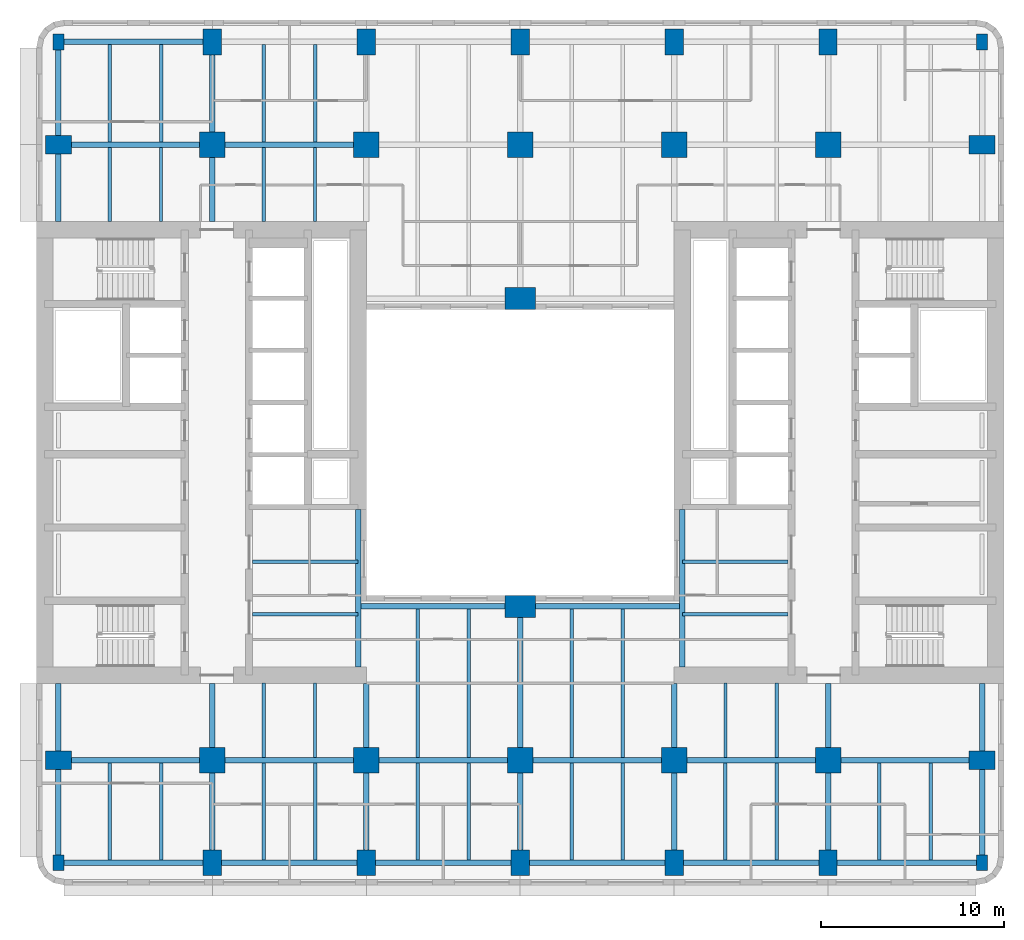
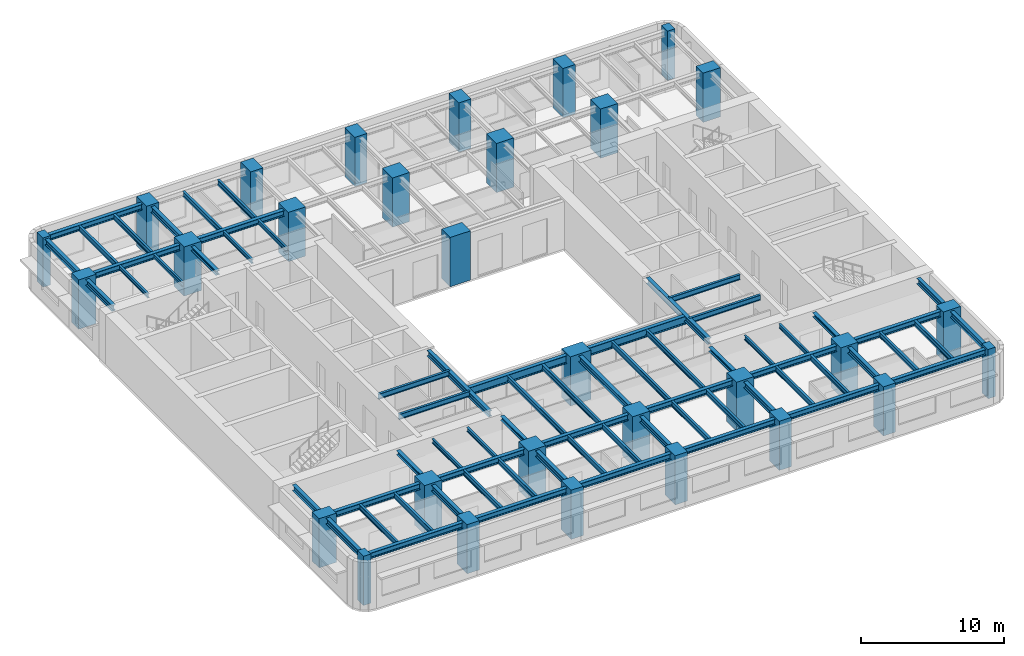
# One storey, part 1 of 11: 69 beams, 30 columns.
"""IFC4 building model written with IfcOpenShell, lengths in metres."""

from ifc_helpers import new_model, si_unit, direction, frame, origin, origin_2d, place, context, subcontext, project, spatial, rectangle, i_section, extrude, material, material_profile, profile_set, type_object, element, save


model = new_model("IFC4")

# Units and contexts
model_context = context("Model", 3, precision=1e-05, world=origin(), true_north=direction((0.0, 1.0)))
body_context = subcontext(model_context, "Body", "Model", "MODEL_VIEW")
ifc_project = project(units=[si_unit("LENGTHUNIT", "METRE"), si_unit("AREAUNIT", "SQUARE_METRE"), si_unit("VOLUMEUNIT", "CUBIC_METRE"), si_unit("PLANEANGLEUNIT", "RADIAN"), si_unit("MASSUNIT", "GRAM", prefix="KILO")], contexts=[model_context])

# Site, building, storey
site_placement = place(None, origin())
site = spatial("IfcSite", under=ifc_project, at=site_placement, CompositionType="ELEMENT")
building_placement = place(site_placement, origin())
building = spatial("IfcBuilding", under=site, at=building_placement, Name="Claustro Exchange Tower", CompositionType="ELEMENT")
storey_placement = place(building_placement, frame((0.0, 0.0, 117.60009765625)))
storey = spatial("IfcBuildingStorey", under=building, at=storey_placement, Name="L26", CompositionType="ELEMENT", Elevation=117.60009765625)

# Columns
ifc_material_1 = material(Name="Concrete HA-70 (C70/85)", Category="concrete")
ifc_material_profile_1 = material_profile(ifc_material_1, rectangle(XDim=1.39990234375, YDim=1.39990234375, at=origin_2d()), Name="RC 1400x1400")
ifc_profile_set_1 = profile_set([ifc_material_profile_1], Name="Concrete HA-70 (C70/85)")
column_type_1 = type_object("IfcColumnType", Name="C0 RC 1400x1400 HA-70 column", PredefinedType="COLUMN", material=ifc_profile_set_1)
for number, where, z_axis, x_axis, name in (
    (1, (8.39990234375, 8.39990234375, 0.0), (0.0, 0.0, 1.0), (1.0, 0.0, 0.0), "Column C0 2/B L26"),
    (2, (8.39990234375, 42.0, 0.0), (0.0, 0.0, 1.0), (1.0, 0.0, 0.0), "Column C0 2/F L26"),
    (3, (16.800048828125, 8.39990234375, 0.0), (0.0, 0.0, 1.0), (1.0, 0.0, 0.0), "Column C0 3/B L26"),
    (4, (16.800048828125, 42.0, 0.0), (0.0, 0.0, 1.0), (1.0, 0.0, 0.0), "Column C0 3/F L26"),
    (5, (25.199951171875, 8.39990234375, 0.0), (0.0, 0.0, 1.0), (1.0, 0.0, 0.0), "Column C0 4/B L26"),
    (6, (25.199951171875, 42.0, 0.0), (0.0, 0.0, 1.0), (1.0, 0.0, 0.0), "Column C0 4/F L26"),
    (7, (33.60009765625, 8.39990234375, 0.0), (0.0, 0.0, 1.0), (1.0, 0.0, 0.0), "Column C0 5/B L26"),
    (8, (33.60009765625, 42.0, 0.0), (0.0, 0.0, 1.0), (1.0, 0.0, 0.0), "Column C0 5/F L26"),
    (9, (42.0, 8.39990234375, 0.0), (0.0, 0.0, 1.0), (1.0, 0.0, 0.0), "Column C0 6/B L26"),
    (10, (42.0, 42.0, 0.0), (0.0, 0.0, 1.0), (1.0, 0.0, 0.0), "Column C0 6/F L26"),
):
    element("IfcColumn", number, at=place(storey_placement, frame(where, z_axis=z_axis, x_axis=x_axis)), inside=storey, type_object=column_type_1, Name=name, PredefinedType="COLUMN", context=body_context, shape_type="SweptSolid", body=[
        extrude(rectangle(XDim=1.39990234375, YDim=1.39990234375, at=origin_2d()), origin(), (0.0, 0.0, 1.0), 4.199951171875),
    ])
ifc_material_2 = material(Name="Concrete HA-70 (C70/85)", Category="concrete")
ifc_material_profile_2 = material_profile(ifc_material_2, rectangle(XDim=1.0, YDim=1.39990234375, at=origin_2d()), Name="RC 1000x1400")
ifc_profile_set_2 = profile_set([ifc_material_profile_2], Name="Concrete HA-70 (C70/85)")
column_type_2 = type_object("IfcColumnType", Name="C22 RC 1000x1400 HA-70 perimeter column", PredefinedType="COLUMN", material=ifc_profile_set_2)
for number, where, z_axis, x_axis, name in (
    (11, (0.0, 8.39990234375, 0.0), (0.0, 0.0, 1.0), (0.0, 1.0, 0.0), "Column C22 1/B L26"),
    (12, (0.0, 42.0, 0.0), (0.0, 0.0, 1.0), (0.0, 1.0, 0.0), "Column C22 1/F L26"),
    (13, (8.39990234375, 2.800048828125, 0.0), (0.0, 0.0, 1.0), (1.0, 0.0, 0.0), "Column C22 2/A+2800 L26"),
    (14, (8.39990234375, 47.60009765625, 0.0), (0.0, 0.0, 1.0), (1.0, 0.0, 0.0), "Column C22 2/F+5600 L26"),
    (15, (16.800048828125, 2.800048828125, 0.0), (0.0, 0.0, 1.0), (1.0, 0.0, 0.0), "Column C22 3/A+2800 L26"),
    (16, (16.800048828125, 47.60009765625, 0.0), (0.0, 0.0, 1.0), (1.0, 0.0, 0.0), "Column C22 3/F+5600 L26"),
    (17, (25.199951171875, 2.800048828125, 0.0), (0.0, 0.0, 1.0), (1.0, 0.0, 0.0), "Column C22 4/A+2800 L26"),
    (18, (25.199951171875, 47.60009765625, 0.0), (0.0, 0.0, 1.0), (1.0, 0.0, 0.0), "Column C22 4/F+5600 L26"),
    (19, (33.60009765625, 2.800048828125, 0.0), (0.0, 0.0, 1.0), (1.0, 0.0, 0.0), "Column C22 5/A+2800 L26"),
    (20, (33.60009765625, 47.60009765625, 0.0), (0.0, 0.0, 1.0), (1.0, 0.0, 0.0), "Column C22 5/F+5600 L26"),
    (21, (42.0, 2.800048828125, 0.0), (0.0, 0.0, 1.0), (1.0, 0.0, 0.0), "Column C22 6/A+2800 L26"),
    (22, (42.0, 47.60009765625, 0.0), (0.0, 0.0, 1.0), (1.0, 0.0, 0.0), "Column C22 6/F+5600 L26"),
    (23, (50.39990234375, 8.39990234375, 0.0), (0.0, 0.0, 1.0), (0.0, 1.0, 0.0), "Column C22 7/B L26"),
    (24, (50.39990234375, 42.0, 0.0), (0.0, 0.0, 1.0), (0.0, 1.0, 0.0), "Column C22 7/F L26"),
):
    element("IfcColumn", number, at=place(storey_placement, frame(where, z_axis=z_axis, x_axis=x_axis)), inside=storey, type_object=column_type_2, Name=name, PredefinedType="COLUMN", context=body_context, shape_type="SweptSolid", body=[
        extrude(rectangle(XDim=1.0, YDim=1.39990234375, at=origin_2d()), origin(), (0.0, 0.0, 1.0), 4.199951171875),
    ])
ifc_material_3 = material(Name="Concrete HA-50 (C50/60)", Category="concrete")
ifc_material_profile_3 = material_profile(ifc_material_3, rectangle(XDim=0.60009765625, YDim=0.85009765625, at=origin_2d()), Name="RC 600x850")
ifc_profile_set_3 = profile_set([ifc_material_profile_3], Name="Concrete HA-50 (C50/60)")
column_type_3 = type_object("IfcColumnType", Name="C25 RC 600x850 HA-50 corner column", PredefinedType="COLUMN", material=ifc_profile_set_3)
for number, where, z_axis, x_axis, name in (
    (25, (0.0, 2.800048828125, 0.0), (0.0, 0.0, 1.0), (1.0, 0.0, 0.0), "Column C25 1/A+2800 L26"),
    (26, (0.0, 47.60009765625, 0.0), (0.0, 0.0, 1.0), (1.0, 0.0, 0.0), "Column C25 1/F+5600 L26"),
    (27, (50.39990234375, 2.800048828125, 0.0), (0.0, 0.0, 1.0), (1.0, 0.0, 0.0), "Column C25 7/A+2800 L26"),
    (28, (50.39990234375, 47.60009765625, 0.0), (0.0, 0.0, 1.0), (1.0, 0.0, 0.0), "Column C25 7/F+5600 L26"),
):
    element("IfcColumn", number, at=place(storey_placement, frame(where, z_axis=z_axis, x_axis=x_axis)), inside=storey, type_object=column_type_3, Name=name, PredefinedType="COLUMN", context=body_context, shape_type="SweptSolid", body=[
        extrude(rectangle(XDim=0.60009765625, YDim=0.85009765625, at=origin_2d()), origin(), (0.0, 0.0, 1.0), 4.199951171875),
    ])
ifc_material_4 = material(Name="Concrete HA-70 (C70/85)", Category="concrete")
ifc_material_profile_4 = material_profile(ifc_material_4, rectangle(XDim=1.64990234375, YDim=1.199951171875, at=origin_2d()), Name="RC 1650x1200")
ifc_profile_set_4 = profile_set([ifc_material_profile_4], Name="Concrete HA-70 (C70/85)")
column_type_4 = type_object("IfcColumnType", Name="C32 RC 1650x1200 HA-70 light well column", PredefinedType="COLUMN", material=ifc_profile_set_4)
for number, where, z_axis, x_axis, name in (
    (29, (25.199951171875, 16.800048828125, 0.0), (0.0, 0.0, 1.0), (1.0, 0.0, 0.0), "Column C32 4/C L26"),
    (30, (25.199951171875, 33.60009765625, 0.0), (0.0, 0.0, 1.0), (1.0, 0.0, 0.0), "Column C32 4/E L26"),
):
    element("IfcColumn", number, at=place(storey_placement, frame(where, z_axis=z_axis, x_axis=x_axis)), inside=storey, type_object=column_type_4, Name=name, PredefinedType="COLUMN", context=body_context, shape_type="SweptSolid", body=[
        extrude(rectangle(XDim=1.64990234375, YDim=1.199951171875, at=origin_2d()), origin(), (0.0, 0.0, 1.0), 4.199951171875),
    ])

# Beams
ifc_material_5 = material(Name="Steel S355", Category="steel")
ifc_material_profile_5 = material_profile(ifc_material_5, i_section(OverallWidth=0.300048828125, OverallDepth=0.68994140625, WebThickness=0.014404296875, FlangeThickness=0.027099609375, FilletRadius=0.027099609375, at=origin_2d()), Name="HE 700 A")
ifc_profile_set_5 = profile_set([ifc_material_profile_5], Name="Steel S355")
beam_type_1 = type_object("IfcBeamType", Name="B13 HE 700 A light well edge girder", PredefinedType="BEAM", material=ifc_profile_set_5)
beam_1_placement = place(storey_placement, frame((16.35009765625, 16.800048828125, 3.704833984375), z_axis=(1.0, 0.0, 0.0), x_axis=(0.0, 1.0, 0.0)))
element("IfcBeam", 31, at=beam_1_placement, inside=storey, type_object=beam_type_1, Name="Beam B13 L27", PredefinedType="BEAM", context=body_context, shape_type="SweptSolid", body=[
    extrude(i_section(OverallWidth=0.300048828125, OverallDepth=0.68994140625, WebThickness=0.014404296875, FlangeThickness=0.027099609375, FilletRadius=0.027099609375, at=origin_2d()), origin(), (0.0, 0.0, 1.0), 8.849853515625),
])
beam_2_placement = place(storey_placement, frame((25.199951171875, 16.800048828125, 3.704833984375), z_axis=(1.0, 0.0, 0.0), x_axis=(0.0, 1.0, 0.0)))
element("IfcBeam", 32, at=beam_2_placement, inside=storey, type_object=beam_type_1, Name="Beam B13 L27", PredefinedType="BEAM", context=body_context, shape_type="SweptSolid", body=[
    extrude(i_section(OverallWidth=0.300048828125, OverallDepth=0.68994140625, WebThickness=0.014404296875, FlangeThickness=0.027099609375, FilletRadius=0.027099609375, at=origin_2d()), origin(), (0.0, 0.0, 1.0), 8.85009765625),
])
ifc_material_6 = material(Name="Steel S355", Category="steel")
ifc_material_profile_6 = material_profile(ifc_material_6, i_section(OverallWidth=0.169921875, OverallDepth=0.360107421875, WebThickness=0.008056640625, FlangeThickness=0.0126953125, FilletRadius=0.01806640625, at=origin_2d()), Name="IPE 360")
ifc_profile_set_6 = profile_set([ifc_material_profile_6], Name="Steel S355")
beam_type_2 = type_object("IfcBeamType", Name="B16 IPE 360 short-span beam", PredefinedType="BEAM", material=ifc_profile_set_6)
for number, where, z_axis, x_axis, name in (
    (33, (2.800048828125, 37.7900390625, 3.869873046875), (0.0, 1.0, 0.0), (-1.0, 0.0, 0.0), "Beam B16 L27"),
    (34, (5.60009765625, 37.7900390625, 3.869873046875), (0.0, 1.0, 0.0), (-1.0, 0.0, 0.0), "Beam B16 L27"),
    (35, (11.199951171875, 8.550048828125, 3.869873046875), (0.0, 1.0, 0.0), (-1.0, 0.0, 0.0), "Beam B16 L27"),
    (36, (14.0, 8.550048828125, 3.869873046875), (0.0, 1.0, 0.0), (-1.0, 0.0, 0.0), "Beam B16 L27"),
    (37, (11.199951171875, 37.7900390625, 3.869873046875), (0.0, 1.0, 0.0), (-1.0, 0.0, 0.0), "Beam B16 L27"),
    (38, (14.0, 37.7900390625, 3.869873046875), (0.0, 1.0, 0.0), (-1.0, 0.0, 0.0), "Beam B16 L27"),
    (39, (36.39990234375, 8.550048828125, 3.869873046875), (0.0, 1.0, 0.0), (-1.0, 0.0, 0.0), "Beam B16 L27"),
    (40, (39.199951171875, 8.550048828125, 3.869873046875), (0.0, 1.0, 0.0), (-1.0, 0.0, 0.0), "Beam B16 L27"),
):
    element("IfcBeam", number, at=place(storey_placement, frame(where, z_axis=z_axis, x_axis=x_axis)), inside=storey, type_object=beam_type_2, Name=name, PredefinedType="BEAM", context=body_context, shape_type="SweptSolid", body=[
        extrude(i_section(OverallWidth=0.169921875, OverallDepth=0.360107421875, WebThickness=0.008056640625, FlangeThickness=0.0126953125, FilletRadius=0.01806640625, at=origin_2d()), origin(), (0.0, 0.0, 1.0), 4.06005859375),
    ])
ifc_material_7 = material(Name="Steel S355", Category="steel")
ifc_material_profile_7 = material_profile(ifc_material_7, i_section(OverallWidth=0.300048828125, OverallDepth=0.360107421875, WebThickness=0.012451171875, FlangeThickness=0.0224609375, FilletRadius=0.027099609375, at=origin_2d()), Name="HE 360 B")
ifc_profile_set_7 = profile_set([ifc_material_profile_7], Name="Steel S355")
beam_type_3 = type_object("IfcBeamType", Name="B29 HE 360 B column to core link beam", PredefinedType="BEAM", material=ifc_profile_set_7)
beam_3_placement = place(storey_placement, frame((8.39990234375, 8.39990234375, 3.869873046875), z_axis=(0.0, 1.0, 0.0), x_axis=(-1.0, 0.0, 0.0)))
element("IfcBeam", 41, at=beam_3_placement, inside=storey, type_object=beam_type_3, Name="Beam B29 L27", PredefinedType="BEAM", context=body_context, shape_type="SweptSolid", body=[
    extrude(i_section(OverallWidth=0.300048828125, OverallDepth=0.360107421875, WebThickness=0.012451171875, FlangeThickness=0.0224609375, FilletRadius=0.027099609375, at=origin_2d()), origin(), (0.0, 0.0, 1.0), 4.2001953125),
])
beam_4_placement = place(storey_placement, frame((8.39990234375, 37.800048828125, 3.869873046875), z_axis=(0.0, 1.0, 0.0), x_axis=(-1.0, 0.0, 0.0)))
element("IfcBeam", 42, at=beam_4_placement, inside=storey, type_object=beam_type_3, Name="Beam B29 L27", PredefinedType="BEAM", context=body_context, shape_type="SweptSolid", body=[
    extrude(i_section(OverallWidth=0.300048828125, OverallDepth=0.360107421875, WebThickness=0.012451171875, FlangeThickness=0.0224609375, FilletRadius=0.027099609375, at=origin_2d()), origin(), (0.0, 0.0, 1.0), 4.199951171875),
])
for number, where, z_axis, x_axis, name in (
    (43, (16.800048828125, 8.39990234375, 3.869873046875), (0.0, 1.0, 0.0), (-1.0, 0.0, 0.0), "Beam B29 L27"),
    (44, (33.60009765625, 8.39990234375, 3.869873046875), (0.0, 1.0, 0.0), (-1.0, 0.0, 0.0), "Beam B29 L27"),
    (45, (42.0, 8.39990234375, 3.869873046875), (0.0, 1.0, 0.0), (-1.0, 0.0, 0.0), "Beam B29 L27"),
):
    element("IfcBeam", number, at=place(storey_placement, frame(where, z_axis=z_axis, x_axis=x_axis)), inside=storey, type_object=beam_type_3, Name=name, PredefinedType="BEAM", context=body_context, shape_type="SweptSolid", body=[
        extrude(i_section(OverallWidth=0.300048828125, OverallDepth=0.360107421875, WebThickness=0.012451171875, FlangeThickness=0.0224609375, FilletRadius=0.027099609375, at=origin_2d()), origin(), (0.0, 0.0, 1.0), 4.2001953125),
    ])
ifc_material_8 = material(Name="Steel S355", Category="steel")
ifc_material_profile_8 = material_profile(ifc_material_8, i_section(OverallWidth=0.300048828125, OverallDepth=0.5, WebThickness=0.014404296875, FlangeThickness=0.028076171875, FilletRadius=0.027099609375, at=origin_2d()), Name="HE 500 B")
ifc_profile_set_8 = profile_set([ifc_material_profile_8], Name="Steel S355")
beam_type_4 = type_object("IfcBeamType", Name="B7 HE 500 B floor girder", PredefinedType="BEAM", material=ifc_profile_set_8)
beam_5_placement = place(storey_placement, frame((8.39990234375, 2.800048828125, 3.7998046875), z_axis=(0.0, 1.0, 0.0), x_axis=(-1.0, 0.0, 0.0)))
element("IfcBeam", 46, at=beam_5_placement, inside=storey, type_object=beam_type_4, Name="Beam B7 L27", PredefinedType="BEAM", context=body_context, shape_type="SweptSolid", body=[
    extrude(i_section(OverallWidth=0.300048828125, OverallDepth=0.5, WebThickness=0.014404296875, FlangeThickness=0.028076171875, FilletRadius=0.027099609375, at=origin_2d()), origin(), (0.0, 0.0, 1.0), 5.599853515625),
])
beam_6_placement = place(storey_placement, frame((8.39990234375, 42.0, 3.7998046875), z_axis=(0.0, 1.0, 0.0), x_axis=(-1.0, 0.0, 0.0)))
element("IfcBeam", 47, at=beam_6_placement, inside=storey, type_object=beam_type_4, Name="Beam B7 L27", PredefinedType="BEAM", context=body_context, shape_type="SweptSolid", body=[
    extrude(i_section(OverallWidth=0.300048828125, OverallDepth=0.5, WebThickness=0.014404296875, FlangeThickness=0.028076171875, FilletRadius=0.027099609375, at=origin_2d()), origin(), (0.0, 0.0, 1.0), 5.60009765625),
])
for number, where, z_axis, x_axis, name in (
    (48, (16.800048828125, 2.800048828125, 3.7998046875), (0.0, 1.0, 0.0), (-1.0, 0.0, 0.0), "Beam B7 L27"),
    (49, (25.199951171875, 2.800048828125, 3.7998046875), (0.0, 1.0, 0.0), (-1.0, 0.0, 0.0), "Beam B7 L27"),
):
    element("IfcBeam", number, at=place(storey_placement, frame(where, z_axis=z_axis, x_axis=x_axis)), inside=storey, type_object=beam_type_4, Name=name, PredefinedType="BEAM", context=body_context, shape_type="SweptSolid", body=[
        extrude(i_section(OverallWidth=0.300048828125, OverallDepth=0.5, WebThickness=0.014404296875, FlangeThickness=0.028076171875, FilletRadius=0.027099609375, at=origin_2d()), origin(), (0.0, 0.0, 1.0), 5.599853515625),
    ])
beam_7_placement = place(storey_placement, frame((25.199951171875, 8.39990234375, 3.7998046875), z_axis=(0.0, 1.0, 0.0), x_axis=(-1.0, 0.0, 0.0)))
element("IfcBeam", 50, at=beam_7_placement, inside=storey, type_object=beam_type_4, Name="Beam B7 L27", PredefinedType="BEAM", context=body_context, shape_type="SweptSolid", body=[
    extrude(i_section(OverallWidth=0.300048828125, OverallDepth=0.5, WebThickness=0.014404296875, FlangeThickness=0.028076171875, FilletRadius=0.027099609375, at=origin_2d()), origin(), (0.0, 0.0, 1.0), 8.400146484375),
])
for number, where, z_axis, x_axis, name in (
    (51, (33.60009765625, 2.800048828125, 3.7998046875), (0.0, 1.0, 0.0), (-1.0, 0.0, 0.0), "Beam B7 L27"),
    (52, (42.0, 2.800048828125, 3.7998046875), (0.0, 1.0, 0.0), (-1.0, 0.0, 0.0), "Beam B7 L27"),
):
    element("IfcBeam", number, at=place(storey_placement, frame(where, z_axis=z_axis, x_axis=x_axis)), inside=storey, type_object=beam_type_4, Name=name, PredefinedType="BEAM", context=body_context, shape_type="SweptSolid", body=[
        extrude(i_section(OverallWidth=0.300048828125, OverallDepth=0.5, WebThickness=0.014404296875, FlangeThickness=0.028076171875, FilletRadius=0.027099609375, at=origin_2d()), origin(), (0.0, 0.0, 1.0), 5.599853515625),
    ])
beam_8_placement = place(storey_placement, frame((0.0, 8.39990234375, 3.7998046875), z_axis=(1.0, 0.0, 0.0), x_axis=(0.0, 1.0, 0.0)))
element("IfcBeam", 53, at=beam_8_placement, inside=storey, type_object=beam_type_4, Name="Beam B7 L27", PredefinedType="BEAM", context=body_context, shape_type="SweptSolid", body=[
    extrude(i_section(OverallWidth=0.300048828125, OverallDepth=0.5, WebThickness=0.014404296875, FlangeThickness=0.028076171875, FilletRadius=0.027099609375, at=origin_2d()), origin(), (0.0, 0.0, 1.0), 8.39990234375),
])
beam_9_placement = place(storey_placement, frame((8.39990234375, 8.39990234375, 3.7998046875), z_axis=(1.0, 0.0, 0.0), x_axis=(0.0, 1.0, 0.0)))
element("IfcBeam", 54, at=beam_9_placement, inside=storey, type_object=beam_type_4, Name="Beam B7 L27", PredefinedType="BEAM", context=body_context, shape_type="SweptSolid", body=[
    extrude(i_section(OverallWidth=0.300048828125, OverallDepth=0.5, WebThickness=0.014404296875, FlangeThickness=0.028076171875, FilletRadius=0.027099609375, at=origin_2d()), origin(), (0.0, 0.0, 1.0), 8.400146484375),
])
beam_10_placement = place(storey_placement, frame((16.800048828125, 8.39990234375, 3.7998046875), z_axis=(1.0, 0.0, 0.0), x_axis=(0.0, 1.0, 0.0)))
element("IfcBeam", 55, at=beam_10_placement, inside=storey, type_object=beam_type_4, Name="Beam B7 L27", PredefinedType="BEAM", context=body_context, shape_type="SweptSolid", body=[
    extrude(i_section(OverallWidth=0.300048828125, OverallDepth=0.5, WebThickness=0.014404296875, FlangeThickness=0.028076171875, FilletRadius=0.027099609375, at=origin_2d()), origin(), (0.0, 0.0, 1.0), 8.39990234375),
])
beam_11_placement = place(storey_placement, frame((25.199951171875, 8.39990234375, 3.7998046875), z_axis=(1.0, 0.0, 0.0), x_axis=(0.0, 1.0, 0.0)))
element("IfcBeam", 56, at=beam_11_placement, inside=storey, type_object=beam_type_4, Name="Beam B7 L27", PredefinedType="BEAM", context=body_context, shape_type="SweptSolid", body=[
    extrude(i_section(OverallWidth=0.300048828125, OverallDepth=0.5, WebThickness=0.014404296875, FlangeThickness=0.028076171875, FilletRadius=0.027099609375, at=origin_2d()), origin(), (0.0, 0.0, 1.0), 8.400146484375),
])
for number, where, z_axis, x_axis, name in (
    (57, (33.60009765625, 8.39990234375, 3.7998046875), (1.0, 0.0, 0.0), (0.0, 1.0, 0.0), "Beam B7 L27"),
    (58, (42.0, 8.39990234375, 3.7998046875), (1.0, 0.0, 0.0), (0.0, 1.0, 0.0), "Beam B7 L27"),
    (59, (0.0, 42.0, 3.7998046875), (1.0, 0.0, 0.0), (0.0, 1.0, 0.0), "Beam B7 L27"),
):
    element("IfcBeam", number, at=place(storey_placement, frame(where, z_axis=z_axis, x_axis=x_axis)), inside=storey, type_object=beam_type_4, Name=name, PredefinedType="BEAM", context=body_context, shape_type="SweptSolid", body=[
        extrude(i_section(OverallWidth=0.300048828125, OverallDepth=0.5, WebThickness=0.014404296875, FlangeThickness=0.028076171875, FilletRadius=0.027099609375, at=origin_2d()), origin(), (0.0, 0.0, 1.0), 8.39990234375),
    ])
beam_12_placement = place(storey_placement, frame((8.39990234375, 42.0, 3.7998046875), z_axis=(1.0, 0.0, 0.0), x_axis=(0.0, 1.0, 0.0)))
element("IfcBeam", 60, at=beam_12_placement, inside=storey, type_object=beam_type_4, Name="Beam B7 L27", PredefinedType="BEAM", context=body_context, shape_type="SweptSolid", body=[
    extrude(i_section(OverallWidth=0.300048828125, OverallDepth=0.5, WebThickness=0.014404296875, FlangeThickness=0.028076171875, FilletRadius=0.027099609375, at=origin_2d()), origin(), (0.0, 0.0, 1.0), 8.400146484375),
])
for number, where, z_axis, x_axis, name in (
    (61, (16.35009765625, 13.5, 3.7998046875), (0.0, 1.0, 0.0), (-1.0, 0.0, 0.0), "Beam B7 core step framing L27"),
    (62, (34.050048828125, 13.5, 3.7998046875), (0.0, 1.0, 0.0), (-1.0, 0.0, 0.0), "Beam B7 core step framing L27"),
):
    element("IfcBeam", number, at=place(storey_placement, frame(where, z_axis=z_axis, x_axis=x_axis)), inside=storey, type_object=beam_type_4, Name=name, PredefinedType="BEAM", context=body_context, shape_type="SweptSolid", body=[
        extrude(i_section(OverallWidth=0.300048828125, OverallDepth=0.5, WebThickness=0.014404296875, FlangeThickness=0.028076171875, FilletRadius=0.027099609375, at=origin_2d()), origin(), (0.0, 0.0, 1.0), 8.60009765625),
    ])
ifc_material_9 = material(Name="Steel S355", Category="steel")
ifc_material_profile_9 = material_profile(ifc_material_9, i_section(OverallWidth=0.18994140625, OverallDepth=0.449951171875, WebThickness=0.009521484375, FlangeThickness=0.0146484375, FilletRadius=0.02099609375, at=origin_2d()), Name="IPE 450")
ifc_profile_set_9 = profile_set([ifc_material_profile_9], Name="Steel S355")
beam_type_5 = type_object("IfcBeamType", Name="B8 IPE 450 secondary beam", PredefinedType="BEAM", material=ifc_profile_set_9)
for number, where, z_axis, x_axis, name in (
    (63, (2.800048828125, 2.949951171875, 3.824951171875), (0.0, 1.0, 0.0), (-1.0, 0.0, 0.0), "Beam B8 L27"),
    (64, (5.60009765625, 2.949951171875, 3.824951171875), (0.0, 1.0, 0.0), (-1.0, 0.0, 0.0), "Beam B8 L27"),
    (65, (2.800048828125, 42.14990234375, 3.824951171875), (0.0, 1.0, 0.0), (-1.0, 0.0, 0.0), "Beam B8 L27"),
    (66, (5.60009765625, 42.14990234375, 3.824951171875), (0.0, 1.0, 0.0), (-1.0, 0.0, 0.0), "Beam B8 L27"),
    (67, (11.199951171875, 2.949951171875, 3.824951171875), (0.0, 1.0, 0.0), (-1.0, 0.0, 0.0), "Beam B8 L27"),
    (68, (14.0, 2.949951171875, 3.824951171875), (0.0, 1.0, 0.0), (-1.0, 0.0, 0.0), "Beam B8 L27"),
    (69, (11.199951171875, 42.14990234375, 3.824951171875), (0.0, 1.0, 0.0), (-1.0, 0.0, 0.0), "Beam B8 L27"),
    (70, (14.0, 42.14990234375, 3.824951171875), (0.0, 1.0, 0.0), (-1.0, 0.0, 0.0), "Beam B8 L27"),
    (71, (19.60009765625, 2.949951171875, 3.824951171875), (0.0, 1.0, 0.0), (-1.0, 0.0, 0.0), "Beam B8 L27"),
    (72, (22.39990234375, 2.949951171875, 3.824951171875), (0.0, 1.0, 0.0), (-1.0, 0.0, 0.0), "Beam B8 L27"),
):
    element("IfcBeam", number, at=place(storey_placement, frame(where, z_axis=z_axis, x_axis=x_axis)), inside=storey, type_object=beam_type_5, Name=name, PredefinedType="BEAM", context=body_context, shape_type="SweptSolid", body=[
        extrude(i_section(OverallWidth=0.18994140625, OverallDepth=0.449951171875, WebThickness=0.009521484375, FlangeThickness=0.0146484375, FilletRadius=0.02099609375, at=origin_2d()), origin(), (0.0, 0.0, 1.0), 5.300048828125),
    ])
for number, where, z_axis, x_axis, name in (
    (73, (19.60009765625, 8.550048828125, 3.824951171875), (0.0, 1.0, 0.0), (-1.0, 0.0, 0.0), "Beam B8 L27"),
    (74, (22.39990234375, 8.550048828125, 3.824951171875), (0.0, 1.0, 0.0), (-1.0, 0.0, 0.0), "Beam B8 L27"),
):
    element("IfcBeam", number, at=place(storey_placement, frame(where, z_axis=z_axis, x_axis=x_axis)), inside=storey, type_object=beam_type_5, Name=name, PredefinedType="BEAM", context=body_context, shape_type="SweptSolid", body=[
        extrude(i_section(OverallWidth=0.18994140625, OverallDepth=0.449951171875, WebThickness=0.009521484375, FlangeThickness=0.0146484375, FilletRadius=0.02099609375, at=origin_2d()), origin(), (0.0, 0.0, 1.0), 8.099853515625),
    ])
for number, where, z_axis, x_axis, name in (
    (75, (28.0, 2.949951171875, 3.824951171875), (0.0, 1.0, 0.0), (-1.0, 0.0, 0.0), "Beam B8 L27"),
    (76, (30.800048828125, 2.949951171875, 3.824951171875), (0.0, 1.0, 0.0), (-1.0, 0.0, 0.0), "Beam B8 L27"),
):
    element("IfcBeam", number, at=place(storey_placement, frame(where, z_axis=z_axis, x_axis=x_axis)), inside=storey, type_object=beam_type_5, Name=name, PredefinedType="BEAM", context=body_context, shape_type="SweptSolid", body=[
        extrude(i_section(OverallWidth=0.18994140625, OverallDepth=0.449951171875, WebThickness=0.009521484375, FlangeThickness=0.0146484375, FilletRadius=0.02099609375, at=origin_2d()), origin(), (0.0, 0.0, 1.0), 5.300048828125),
    ])
for number, where, z_axis, x_axis, name in (
    (77, (28.0, 8.550048828125, 3.824951171875), (0.0, 1.0, 0.0), (-1.0, 0.0, 0.0), "Beam B8 L27"),
    (78, (30.800048828125, 8.550048828125, 3.824951171875), (0.0, 1.0, 0.0), (-1.0, 0.0, 0.0), "Beam B8 L27"),
):
    element("IfcBeam", number, at=place(storey_placement, frame(where, z_axis=z_axis, x_axis=x_axis)), inside=storey, type_object=beam_type_5, Name=name, PredefinedType="BEAM", context=body_context, shape_type="SweptSolid", body=[
        extrude(i_section(OverallWidth=0.18994140625, OverallDepth=0.449951171875, WebThickness=0.009521484375, FlangeThickness=0.0146484375, FilletRadius=0.02099609375, at=origin_2d()), origin(), (0.0, 0.0, 1.0), 8.099853515625),
    ])
for number, where, z_axis, x_axis, name in (
    (79, (36.39990234375, 2.949951171875, 3.824951171875), (0.0, 1.0, 0.0), (-1.0, 0.0, 0.0), "Beam B8 L27"),
    (80, (39.199951171875, 2.949951171875, 3.824951171875), (0.0, 1.0, 0.0), (-1.0, 0.0, 0.0), "Beam B8 L27"),
    (81, (44.800048828125, 2.949951171875, 3.824951171875), (0.0, 1.0, 0.0), (-1.0, 0.0, 0.0), "Beam B8 L27"),
    (82, (47.60009765625, 2.949951171875, 3.824951171875), (0.0, 1.0, 0.0), (-1.0, 0.0, 0.0), "Beam B8 L27"),
):
    element("IfcBeam", number, at=place(storey_placement, frame(where, z_axis=z_axis, x_axis=x_axis)), inside=storey, type_object=beam_type_5, Name=name, PredefinedType="BEAM", context=body_context, shape_type="SweptSolid", body=[
        extrude(i_section(OverallWidth=0.18994140625, OverallDepth=0.449951171875, WebThickness=0.009521484375, FlangeThickness=0.0146484375, FilletRadius=0.02099609375, at=origin_2d()), origin(), (0.0, 0.0, 1.0), 5.300048828125),
    ])
for number, where, z_axis, x_axis, name in (
    (83, (10.60009765625, 16.36669921875, 3.824951171875), (1.0, 0.0, 0.0), (0.0, 1.0, 0.0), "Beam B8 core step framing L27"),
    (84, (10.60009765625, 19.2333984375, 3.824951171875), (1.0, 0.0, 0.0), (0.0, 1.0, 0.0), "Beam B8 core step framing L27"),
    (85, (34.050048828125, 16.36669921875, 3.824951171875), (1.0, 0.0, 0.0), (0.0, 1.0, 0.0), "Beam B8 core step framing L27"),
    (86, (34.050048828125, 19.2333984375, 3.824951171875), (1.0, 0.0, 0.0), (0.0, 1.0, 0.0), "Beam B8 core step framing L27"),
):
    element("IfcBeam", number, at=place(storey_placement, frame(where, z_axis=z_axis, x_axis=x_axis)), inside=storey, type_object=beam_type_5, Name=name, PredefinedType="BEAM", context=body_context, shape_type="SweptSolid", body=[
        extrude(i_section(OverallWidth=0.18994140625, OverallDepth=0.449951171875, WebThickness=0.009521484375, FlangeThickness=0.0146484375, FilletRadius=0.02099609375, at=origin_2d()), origin(), (0.0, 0.0, 1.0), 5.75),
    ])
ifc_material_10 = material(Name="Steel S355", Category="steel")
ifc_material_profile_10 = material_profile(ifc_material_10, i_section(OverallWidth=0.300048828125, OverallDepth=0.489990234375, WebThickness=0.011962890625, FlangeThickness=0.02294921875, FilletRadius=0.027099609375, at=origin_2d()), Name="HE 500 A")
ifc_profile_set_10 = profile_set([ifc_material_profile_10], Name="Steel S355")
beam_type_6 = type_object("IfcBeamType", Name="B9 HE 500 A spandrel edge girder", PredefinedType="SPANDREL", material=ifc_profile_set_10)
beam_13_placement = place(storey_placement, frame((0.0, 2.800048828125, 3.804931640625), z_axis=(0.0, 1.0, 0.0), x_axis=(-1.0, 0.0, 0.0)))
element("IfcBeam", 87, at=beam_13_placement, inside=storey, type_object=beam_type_6, Name="Beam B9 L27", PredefinedType="SPANDREL", context=body_context, shape_type="SweptSolid", body=[
    extrude(i_section(OverallWidth=0.300048828125, OverallDepth=0.489990234375, WebThickness=0.011962890625, FlangeThickness=0.02294921875, FilletRadius=0.027099609375, at=origin_2d()), origin(), (0.0, 0.0, 1.0), 5.599853515625),
])
beam_14_placement = place(storey_placement, frame((0.0, 8.39990234375, 3.804931640625), z_axis=(0.0, 1.0, 0.0), x_axis=(-1.0, 0.0, 0.0)))
element("IfcBeam", 88, at=beam_14_placement, inside=storey, type_object=beam_type_6, Name="Beam B9 L27", PredefinedType="SPANDREL", context=body_context, shape_type="SweptSolid", body=[
    extrude(i_section(OverallWidth=0.300048828125, OverallDepth=0.489990234375, WebThickness=0.011962890625, FlangeThickness=0.02294921875, FilletRadius=0.027099609375, at=origin_2d()), origin(), (0.0, 0.0, 1.0), 4.2001953125),
])
beam_15_placement = place(storey_placement, frame((0.0, 37.800048828125, 3.804931640625), z_axis=(0.0, 1.0, 0.0), x_axis=(-1.0, 0.0, 0.0)))
element("IfcBeam", 89, at=beam_15_placement, inside=storey, type_object=beam_type_6, Name="Beam B9 L27", PredefinedType="SPANDREL", context=body_context, shape_type="SweptSolid", body=[
    extrude(i_section(OverallWidth=0.300048828125, OverallDepth=0.489990234375, WebThickness=0.011962890625, FlangeThickness=0.02294921875, FilletRadius=0.027099609375, at=origin_2d()), origin(), (0.0, 0.0, 1.0), 4.199951171875),
])
beam_16_placement = place(storey_placement, frame((0.0, 42.0, 3.804931640625), z_axis=(0.0, 1.0, 0.0), x_axis=(-1.0, 0.0, 0.0)))
element("IfcBeam", 90, at=beam_16_placement, inside=storey, type_object=beam_type_6, Name="Beam B9 L27", PredefinedType="SPANDREL", context=body_context, shape_type="SweptSolid", body=[
    extrude(i_section(OverallWidth=0.300048828125, OverallDepth=0.489990234375, WebThickness=0.011962890625, FlangeThickness=0.02294921875, FilletRadius=0.027099609375, at=origin_2d()), origin(), (0.0, 0.0, 1.0), 5.60009765625),
])
beam_17_placement = place(storey_placement, frame((50.39990234375, 2.800048828125, 3.804931640625), z_axis=(0.0, 1.0, 0.0), x_axis=(-1.0, 0.0, 0.0)))
element("IfcBeam", 91, at=beam_17_placement, inside=storey, type_object=beam_type_6, Name="Beam B9 L27", PredefinedType="SPANDREL", context=body_context, shape_type="SweptSolid", body=[
    extrude(i_section(OverallWidth=0.300048828125, OverallDepth=0.489990234375, WebThickness=0.011962890625, FlangeThickness=0.02294921875, FilletRadius=0.027099609375, at=origin_2d()), origin(), (0.0, 0.0, 1.0), 5.599853515625),
])
beam_18_placement = place(storey_placement, frame((50.39990234375, 8.39990234375, 3.804931640625), z_axis=(0.0, 1.0, 0.0), x_axis=(-1.0, 0.0, 0.0)))
element("IfcBeam", 92, at=beam_18_placement, inside=storey, type_object=beam_type_6, Name="Beam B9 L27", PredefinedType="SPANDREL", context=body_context, shape_type="SweptSolid", body=[
    extrude(i_section(OverallWidth=0.300048828125, OverallDepth=0.489990234375, WebThickness=0.011962890625, FlangeThickness=0.02294921875, FilletRadius=0.027099609375, at=origin_2d()), origin(), (0.0, 0.0, 1.0), 4.2001953125),
])
beam_19_placement = place(storey_placement, frame((0.0, 2.800048828125, 3.804931640625), z_axis=(1.0, 0.0, 0.0), x_axis=(0.0, 1.0, 0.0)))
element("IfcBeam", 93, at=beam_19_placement, inside=storey, type_object=beam_type_6, Name="Beam B9 L27", PredefinedType="SPANDREL", context=body_context, shape_type="SweptSolid", body=[
    extrude(i_section(OverallWidth=0.300048828125, OverallDepth=0.489990234375, WebThickness=0.011962890625, FlangeThickness=0.02294921875, FilletRadius=0.027099609375, at=origin_2d()), origin(), (0.0, 0.0, 1.0), 8.39990234375),
])
beam_20_placement = place(storey_placement, frame((8.39990234375, 2.800048828125, 3.804931640625), z_axis=(1.0, 0.0, 0.0), x_axis=(0.0, 1.0, 0.0)))
element("IfcBeam", 94, at=beam_20_placement, inside=storey, type_object=beam_type_6, Name="Beam B9 L27", PredefinedType="SPANDREL", context=body_context, shape_type="SweptSolid", body=[
    extrude(i_section(OverallWidth=0.300048828125, OverallDepth=0.489990234375, WebThickness=0.011962890625, FlangeThickness=0.02294921875, FilletRadius=0.027099609375, at=origin_2d()), origin(), (0.0, 0.0, 1.0), 8.400146484375),
])
beam_21_placement = place(storey_placement, frame((16.800048828125, 2.800048828125, 3.804931640625), z_axis=(1.0, 0.0, 0.0), x_axis=(0.0, 1.0, 0.0)))
element("IfcBeam", 95, at=beam_21_placement, inside=storey, type_object=beam_type_6, Name="Beam B9 L27", PredefinedType="SPANDREL", context=body_context, shape_type="SweptSolid", body=[
    extrude(i_section(OverallWidth=0.300048828125, OverallDepth=0.489990234375, WebThickness=0.011962890625, FlangeThickness=0.02294921875, FilletRadius=0.027099609375, at=origin_2d()), origin(), (0.0, 0.0, 1.0), 8.39990234375),
])
beam_22_placement = place(storey_placement, frame((25.199951171875, 2.800048828125, 3.804931640625), z_axis=(1.0, 0.0, 0.0), x_axis=(0.0, 1.0, 0.0)))
element("IfcBeam", 96, at=beam_22_placement, inside=storey, type_object=beam_type_6, Name="Beam B9 L27", PredefinedType="SPANDREL", context=body_context, shape_type="SweptSolid", body=[
    extrude(i_section(OverallWidth=0.300048828125, OverallDepth=0.489990234375, WebThickness=0.011962890625, FlangeThickness=0.02294921875, FilletRadius=0.027099609375, at=origin_2d()), origin(), (0.0, 0.0, 1.0), 8.400146484375),
])
for number, where, z_axis, x_axis, name in (
    (97, (33.60009765625, 2.800048828125, 3.804931640625), (1.0, 0.0, 0.0), (0.0, 1.0, 0.0), "Beam B9 L27"),
    (98, (42.0, 2.800048828125, 3.804931640625), (1.0, 0.0, 0.0), (0.0, 1.0, 0.0), "Beam B9 L27"),
    (99, (0.0, 47.60009765625, 3.804931640625), (1.0, 0.0, 0.0), (0.0, 1.0, 0.0), "Beam B9 L27"),
):
    element("IfcBeam", number, at=place(storey_placement, frame(where, z_axis=z_axis, x_axis=x_axis)), inside=storey, type_object=beam_type_6, Name=name, PredefinedType="SPANDREL", context=body_context, shape_type="SweptSolid", body=[
        extrude(i_section(OverallWidth=0.300048828125, OverallDepth=0.489990234375, WebThickness=0.011962890625, FlangeThickness=0.02294921875, FilletRadius=0.027099609375, at=origin_2d()), origin(), (0.0, 0.0, 1.0), 8.39990234375),
    ])

save(model, "model.ifc")
